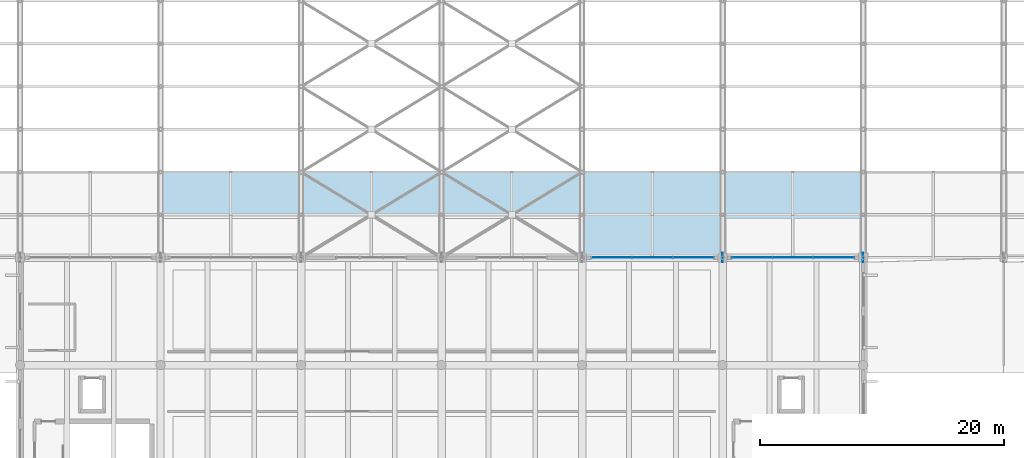
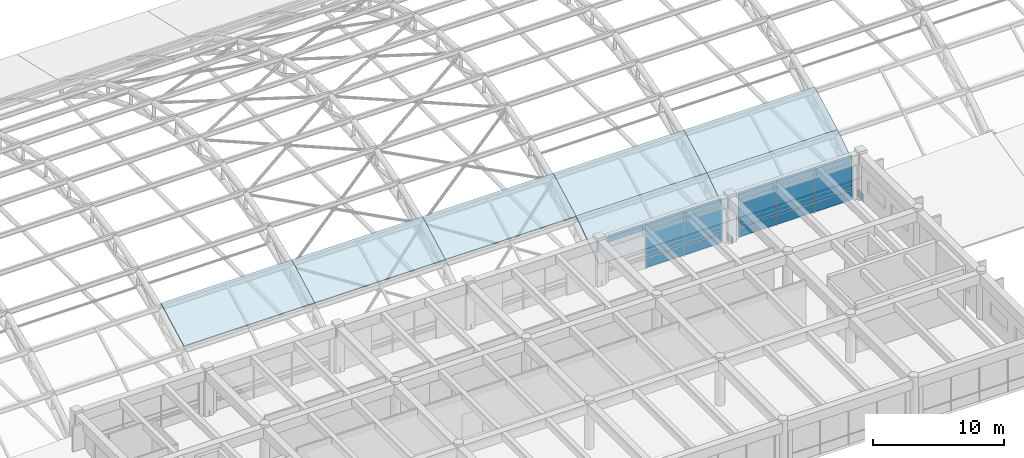
# One storey, part 126 of 154: 18 plates, 7 slabs, 2 elements without a shape of their own.
"""IFC4 building model written with IfcOpenShell, lengths in metres."""

from ifc_helpers import new_model, si_unit, direction, frame, origin, origin_2d, place, context, subcontext, project, spatial, polyline, rectangle, outline, extrude, material, layer, layer_set, type_object, element, aggregate, save


model = new_model("IFC4")

# Units and contexts
model_context = context("Model", 3, precision=1e-05, world=origin(), true_north=direction((0.0, 1.0)))
body_context = subcontext(model_context, "Body", "Model", "MODEL_VIEW")
ifc_project = project(units=[si_unit("LENGTHUNIT", "METRE"), si_unit("AREAUNIT", "SQUARE_METRE"), si_unit("VOLUMEUNIT", "CUBIC_METRE"), si_unit("PLANEANGLEUNIT", "RADIAN"), si_unit("MASSUNIT", "GRAM", prefix="KILO")], contexts=[model_context])

# Site, building, storey
site_placement = place(None, origin())
site = spatial("IfcSite", under=ifc_project, at=site_placement, CompositionType="ELEMENT")
building_placement = place(site_placement, origin())
building = spatial("IfcBuilding", under=site, at=building_placement, Name="Ologun Quay Terminus", CompositionType="ELEMENT")
storey_placement = place(building_placement, frame((0.0, 0.0, 13.800048828125)))
storey = spatial("IfcBuildingStorey", under=building, at=storey_placement, Name="L03", CompositionType="ELEMENT", Elevation=13.800048828125)

# Plates
ifc_material_1 = material(Name="Steel S355", Category="steel")
ifc_layer_1 = layer(ifc_material_1, 0.0400390625)
ifc_layer_set_1 = layer_set([ifc_layer_1], Name="Steel S355")
plate_type_1 = type_object("IfcPlateType", Name="Arch Springing Steel Gusset Plate 40", PredefinedType="SHEET", material=ifc_layer_set_1)
for number, where, z_axis, x_axis, name in (
    (1, (115.0, 36.0, -0.2001953125), (0.0, 0.0, 1.0), (0.0, 1.0, 0.0), "PL-GUS Arch Springing Gusset 11/E"),
    (2, (126.5, 36.0, -0.2001953125), (0.0, 0.0, 1.0), (0.0, 1.0, 0.0), "PL-GUS Arch Springing Gusset 12/E"),
):
    element("IfcPlate", number, at=place(storey_placement, frame(where, z_axis=z_axis, x_axis=x_axis)), inside=storey, type_object=plate_type_1, Name=name, PredefinedType="SHEET", context=body_context, shape_type="SweptSolid", body=[
        extrude(rectangle(XDim=0.800048828125, YDim=0.0400390625, at=origin_2d()), origin(), (0.0, 0.0, 1.0), 0.699951171875),
    ])

# Curtain wall, plates
ifc_material_2 = material(Name="Aluminium 6063-T6", Category="aluminium")
curtain_wall_type = type_object("IfcCurtainWallType", Name="South Pavilion Clerestory Curtain Wall 10700x4050", PredefinedType="USERDEFINED", material=ifc_material_2)
curtain_wall_1_placement = place(storey_placement, origin())
curtain_wall_1 = element("IfcCurtainWall", 3, at=curtain_wall_1_placement, inside=storey, type_object=curtain_wall_type, Name="CW-07 Curtain Wall CW-L03-044", ObjectType="UNITISED CURTAIN WALL", PredefinedType="USERDEFINED")
ifc_material_3 = material(Name="Aluminium 6063-T6", Category="aluminium")
ifc_layer_2 = layer(ifc_material_3, 0.050048828125)
ifc_layer_set_2 = layer_set([ifc_layer_2], Name="Aluminium 6063-T6")
plate_type_2 = type_object("IfcPlateType", Name="Insulated Aluminium Shadow-Box Spandrel 50", PredefinedType="CURTAIN_PANEL", material=ifc_layer_set_2)
plate_1_placement = place(storey_placement, frame((109.25, 36.0, 0.02978515625), z_axis=(0.0, 0.0, 1.0), x_axis=(1.0, 0.0, 0.0)))
plate_1 = element("IfcPlate", 4, at=plate_1_placement, type_object=plate_type_2, Name="CW-L03-044 Panel B2-1", PredefinedType="CURTAIN_PANEL", context=body_context, shape_type="SweptSolid", body=[
    extrude(rectangle(XDim=3.336669921875, YDim=0.050048828125, at=origin_2d()), origin(), (0.0, 0.0, 1.0), 0.840087890625),
])
plate_2_placement = place(storey_placement, frame((112.586669921875, 36.0, 0.02978515625), z_axis=(0.0, 0.0, 1.0), x_axis=(1.0, 0.0, 0.0)))
plate_2 = element("IfcPlate", 5, at=plate_2_placement, type_object=plate_type_2, Name="CW-L03-044 Panel B3-1", PredefinedType="CURTAIN_PANEL", context=body_context, shape_type="SweptSolid", body=[
    extrude(rectangle(XDim=3.336669921875, YDim=0.050048828125, at=origin_2d()), origin(), (0.0, 0.0, 1.0), 0.840087890625),
])

curtain_wall_2_placement = place(storey_placement, origin())
curtain_wall_2 = element("IfcCurtainWall", 6, at=curtain_wall_2_placement, inside=storey, type_object=curtain_wall_type, Name="CW-07 Curtain Wall CW-L03-045", ObjectType="UNITISED CURTAIN WALL", PredefinedType="USERDEFINED")
plate_3_placement = place(storey_placement, frame((117.413330078125, 36.0, 0.02978515625), z_axis=(0.0, 0.0, 1.0), x_axis=(1.0, 0.0, 0.0)))
plate_3 = element("IfcPlate", 7, at=plate_3_placement, type_object=plate_type_2, Name="CW-L03-045 Panel B1-1", PredefinedType="CURTAIN_PANEL", context=body_context, shape_type="SweptSolid", body=[
    extrude(rectangle(XDim=3.336669921875, YDim=0.050048828125, at=origin_2d()), origin(), (0.0, 0.0, 1.0), 0.840087890625),
])
plate_4_placement = place(storey_placement, frame((120.75, 36.0, 0.02978515625), z_axis=(0.0, 0.0, 1.0), x_axis=(1.0, 0.0, 0.0)))
plate_4 = element("IfcPlate", 8, at=plate_4_placement, type_object=plate_type_2, Name="CW-L03-045 Panel B2-1", PredefinedType="CURTAIN_PANEL", context=body_context, shape_type="SweptSolid", body=[
    extrude(rectangle(XDim=3.336669921875, YDim=0.050048828125, at=origin_2d()), origin(), (0.0, 0.0, 1.0), 0.840087890625),
])
plate_5_placement = place(storey_placement, frame((124.086669921875, 36.0, 0.02978515625), z_axis=(0.0, 0.0, 1.0), x_axis=(1.0, 0.0, 0.0)))
plate_5 = element("IfcPlate", 9, at=plate_5_placement, type_object=plate_type_2, Name="CW-L03-045 Panel B3-1", PredefinedType="CURTAIN_PANEL", context=body_context, shape_type="SweptSolid", body=[
    extrude(rectangle(XDim=3.336669921875, YDim=0.050048828125, at=origin_2d()), origin(), (0.0, 0.0, 1.0), 0.840087890625),
])

# Plate
ifc_material_4 = material(Name="Glass", Category="glass")
ifc_layer_3 = layer(ifc_material_4, 0.028076171875)
ifc_layer_set_3 = layer_set([ifc_layer_3], Name="Glass")
plate_type_3 = type_object("IfcPlateType", Name="Solar-Control Double Glazed Panel 28", PredefinedType="CURTAIN_PANEL", material=ifc_layer_set_3)
plate_6_placement = place(storey_placement, frame((105.913330078125, 36.0, 3.56982421875), z_axis=(0.0, 0.0, 1.0), x_axis=(1.0, 0.0, 0.0)))
plate_6 = element("IfcPlate", 10, at=plate_6_placement, type_object=plate_type_3, Name="CW-L03-044 Panel B1-3", PredefinedType="CURTAIN_PANEL", context=body_context, shape_type="SweptSolid", body=[
    extrude(rectangle(XDim=3.336669921875, YDim=0.028076171875, at=origin_2d()), origin(), (0.0, 0.0, 1.0), 0.639892578125),
])

plate_7_placement = place(storey_placement, frame((109.25, 36.0, 0.929931640625), z_axis=(0.0, 0.0, 1.0), x_axis=(1.0, 0.0, 0.0)))
plate_7 = element("IfcPlate", 11, at=plate_7_placement, type_object=plate_type_3, Name="CW-L03-044 Panel B2-2", PredefinedType="CURTAIN_PANEL", context=body_context, shape_type="SweptSolid", body=[
    extrude(rectangle(XDim=3.336669921875, YDim=0.028076171875, at=origin_2d()), origin(), (0.0, 0.0, 1.0), 2.580078125),
])

plate_8_placement = place(storey_placement, frame((109.25, 36.0, 3.56982421875), z_axis=(0.0, 0.0, 1.0), x_axis=(1.0, 0.0, 0.0)))
plate_8 = element("IfcPlate", 12, at=plate_8_placement, type_object=plate_type_3, Name="CW-L03-044 Panel B2-3", PredefinedType="CURTAIN_PANEL", context=body_context, shape_type="SweptSolid", body=[
    extrude(rectangle(XDim=3.336669921875, YDim=0.028076171875, at=origin_2d()), origin(), (0.0, 0.0, 1.0), 0.639892578125),
])

plate_9_placement = place(storey_placement, frame((112.586669921875, 36.0, 0.929931640625), z_axis=(0.0, 0.0, 1.0), x_axis=(1.0, 0.0, 0.0)))
plate_9 = element("IfcPlate", 13, at=plate_9_placement, type_object=plate_type_3, Name="CW-L03-044 Panel B3-2", PredefinedType="CURTAIN_PANEL", context=body_context, shape_type="SweptSolid", body=[
    extrude(rectangle(XDim=3.336669921875, YDim=0.028076171875, at=origin_2d()), origin(), (0.0, 0.0, 1.0), 2.580078125),
])

plate_10_placement = place(storey_placement, frame((112.586669921875, 36.0, 3.56982421875), z_axis=(0.0, 0.0, 1.0), x_axis=(1.0, 0.0, 0.0)))
plate_10 = element("IfcPlate", 14, at=plate_10_placement, type_object=plate_type_3, Name="CW-L03-044 Panel B3-3", PredefinedType="CURTAIN_PANEL", context=body_context, shape_type="SweptSolid", body=[
    extrude(rectangle(XDim=3.336669921875, YDim=0.028076171875, at=origin_2d()), origin(), (0.0, 0.0, 1.0), 0.639892578125),
])

aggregate(curtain_wall_1, [plate_6, plate_1, plate_7, plate_8, plate_2, plate_9, plate_10])

plate_11_placement = place(storey_placement, frame((117.413330078125, 36.0, 0.929931640625), z_axis=(0.0, 0.0, 1.0), x_axis=(1.0, 0.0, 0.0)))
plate_11 = element("IfcPlate", 15, at=plate_11_placement, type_object=plate_type_3, Name="CW-L03-045 Panel B1-2", PredefinedType="CURTAIN_PANEL", context=body_context, shape_type="SweptSolid", body=[
    extrude(rectangle(XDim=3.336669921875, YDim=0.028076171875, at=origin_2d()), origin(), (0.0, 0.0, 1.0), 2.580078125),
])

plate_12_placement = place(storey_placement, frame((117.413330078125, 36.0, 3.56982421875), z_axis=(0.0, 0.0, 1.0), x_axis=(1.0, 0.0, 0.0)))
plate_12 = element("IfcPlate", 16, at=plate_12_placement, type_object=plate_type_3, Name="CW-L03-045 Panel B1-3", PredefinedType="CURTAIN_PANEL", context=body_context, shape_type="SweptSolid", body=[
    extrude(rectangle(XDim=3.336669921875, YDim=0.028076171875, at=origin_2d()), origin(), (0.0, 0.0, 1.0), 0.639892578125),
])

plate_13_placement = place(storey_placement, frame((120.75, 36.0, 0.929931640625), z_axis=(0.0, 0.0, 1.0), x_axis=(1.0, 0.0, 0.0)))
plate_13 = element("IfcPlate", 17, at=plate_13_placement, type_object=plate_type_3, Name="CW-L03-045 Panel B2-2", PredefinedType="CURTAIN_PANEL", context=body_context, shape_type="SweptSolid", body=[
    extrude(rectangle(XDim=3.336669921875, YDim=0.028076171875, at=origin_2d()), origin(), (0.0, 0.0, 1.0), 2.580078125),
])

plate_14_placement = place(storey_placement, frame((120.75, 36.0, 3.56982421875), z_axis=(0.0, 0.0, 1.0), x_axis=(1.0, 0.0, 0.0)))
plate_14 = element("IfcPlate", 18, at=plate_14_placement, type_object=plate_type_3, Name="CW-L03-045 Panel B2-3", PredefinedType="CURTAIN_PANEL", context=body_context, shape_type="SweptSolid", body=[
    extrude(rectangle(XDim=3.336669921875, YDim=0.028076171875, at=origin_2d()), origin(), (0.0, 0.0, 1.0), 0.639892578125),
])

plate_15_placement = place(storey_placement, frame((124.086669921875, 36.0, 0.929931640625), z_axis=(0.0, 0.0, 1.0), x_axis=(1.0, 0.0, 0.0)))
plate_15 = element("IfcPlate", 19, at=plate_15_placement, type_object=plate_type_3, Name="CW-L03-045 Panel B3-2", PredefinedType="CURTAIN_PANEL", context=body_context, shape_type="SweptSolid", body=[
    extrude(rectangle(XDim=3.336669921875, YDim=0.028076171875, at=origin_2d()), origin(), (0.0, 0.0, 1.0), 2.580078125),
])

plate_16_placement = place(storey_placement, frame((124.086669921875, 36.0, 3.56982421875), z_axis=(0.0, 0.0, 1.0), x_axis=(1.0, 0.0, 0.0)))
plate_16 = element("IfcPlate", 20, at=plate_16_placement, type_object=plate_type_3, Name="CW-L03-045 Panel B3-3", PredefinedType="CURTAIN_PANEL", context=body_context, shape_type="SweptSolid", body=[
    extrude(rectangle(XDim=3.336669921875, YDim=0.028076171875, at=origin_2d()), origin(), (0.0, 0.0, 1.0), 0.639892578125),
])

aggregate(curtain_wall_2, [plate_3, plate_11, plate_12, plate_4, plate_13, plate_14, plate_5, plate_15, plate_16])

# Slabs
ifc_material_5 = material(Name="Steel S355", Category="steel")
ifc_layer_4 = layer(ifc_material_5, 0.159912109375)
ifc_layer_set_4 = layer_set([ifc_layer_4], Name="Steel S355")
slab_type = type_object("IfcSlabType", Name="Train Shed Barrel Roof Facet Slab 160", PredefinedType="ROOF", material=ifc_layer_set_4)
for number, where, z_axis, x_axis, name in (
    (21, (69.0, 39.5, 4.1484375), (0.0, -0.473176099324, 0.880967864924), (1.0, 0.0, 0.0), "SL-SHD Train Shed Eave Roof Facet B7-P2"),
    (22, (80.5, 39.5, 4.1484375), (0.0, -0.473176099324, 0.880967864924), (1.0, 0.0, 0.0), "SL-SHD Train Shed Eave Roof Facet B8-P2"),
    (23, (92.0, 39.5, 4.1484375), (0.0, -0.473176099324, 0.880967864924), (1.0, 0.0, 0.0), "SL-SHD Train Shed Eave Roof Facet B9-P2"),
):
    element("IfcSlab", number, at=place(storey_placement, frame(where, z_axis=z_axis, x_axis=x_axis)), inside=storey, type_object=slab_type, Name=name, PredefinedType="ROOF", context=body_context, shape_type="SweptSolid", body=[
        extrude(outline(polyline([(0.0, 0.0), (11.5, 0.0), (11.5, 3.972903143638529), (0.0, 3.972903143638529), (0.0, 0.0)])), origin(), (0.0, 0.0, -1.0), 0.159912109375),
    ])
slab_1_placement = place(storey_placement, frame((103.5, 36.0, 1.809814453125), z_axis=(0.0, -0.55717065423, 0.830398014247), x_axis=(1.0, 0.0, 0.0)))
element("IfcSlab", 24, at=slab_1_placement, inside=storey, type_object=slab_type, Name="SL-SHD Train Shed Eave Roof Facet B10-P1", PredefinedType="ROOF", context=body_context, shape_type="SweptSolid", body=[
    extrude(outline(polyline([(0.0, 0.0), (11.5, 0.0), (11.5, 4.214846302558472), (0.0, 4.214846302558472), (0.0, 0.0)])), origin(), (0.0, 0.0, -1.0), 0.159912109375),
])
slab_2_placement = place(storey_placement, frame((103.5, 39.5, 4.1484375), z_axis=(0.0, -0.473176099324, 0.880967864924), x_axis=(1.0, 0.0, 0.0)))
element("IfcSlab", 25, at=slab_2_placement, inside=storey, type_object=slab_type, Name="SL-SHD Train Shed Eave Roof Facet B10-P2", PredefinedType="ROOF", context=body_context, shape_type="SweptSolid", body=[
    extrude(outline(polyline([(0.0, 0.0), (11.5, 0.0), (11.5, 3.972903143638529), (0.0, 3.972903143638529), (0.0, 0.0)])), origin(), (0.0, 0.0, -1.0), 0.159912109375),
])
slab_3_placement = place(storey_placement, frame((115.0, 36.0, 1.809814453125), z_axis=(0.0, -0.55717065423, 0.830398014247), x_axis=(1.0, 0.0, 0.0)))
element("IfcSlab", 26, at=slab_3_placement, inside=storey, type_object=slab_type, Name="SL-SHD Train Shed Eave Roof Facet B11-P1", PredefinedType="ROOF", context=body_context, shape_type="SweptSolid", body=[
    extrude(outline(polyline([(0.0, 0.0), (11.5, 0.0), (11.5, 4.214846302558472), (0.0, 4.214846302558472), (0.0, 0.0)])), origin(), (0.0, 0.0, -1.0), 0.159912109375),
])
slab_4_placement = place(storey_placement, frame((115.0, 39.5, 4.1484375), z_axis=(0.0, -0.473176099324, 0.880967864924), x_axis=(1.0, 0.0, 0.0)))
element("IfcSlab", 27, at=slab_4_placement, inside=storey, type_object=slab_type, Name="SL-SHD Train Shed Eave Roof Facet B11-P2", PredefinedType="ROOF", context=body_context, shape_type="SweptSolid", body=[
    extrude(outline(polyline([(0.0, 0.0), (11.5, 0.0), (11.5, 3.972903143638529), (0.0, 3.972903143638529), (0.0, 0.0)])), origin(), (0.0, 0.0, -1.0), 0.159912109375),
])

save(model, "model.ifc")
